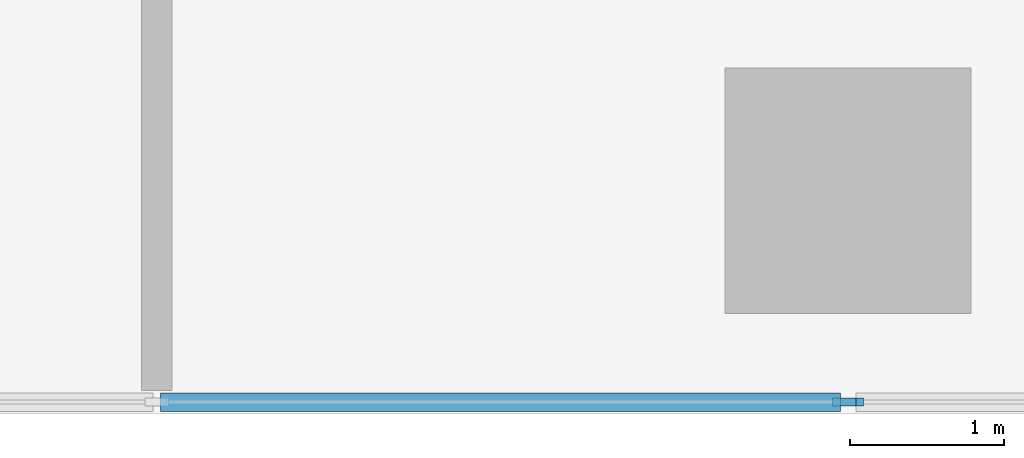
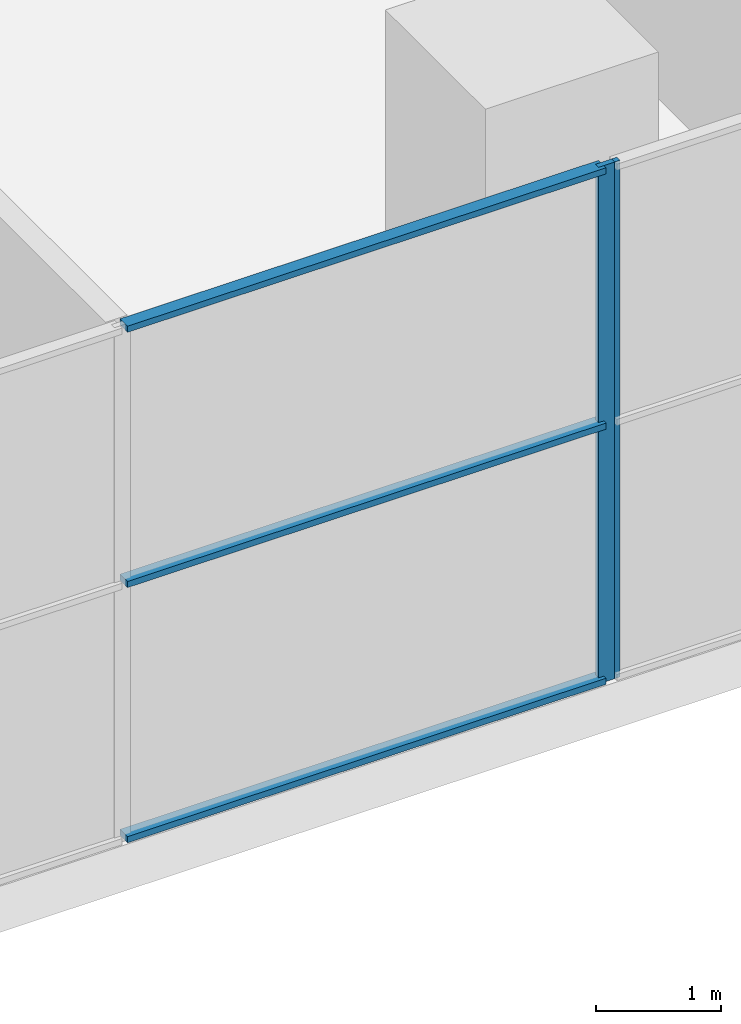
# One storey, part 3 of 21: 5 members, 2 elements without a shape of their own.
"""IFC4 building model written with IfcOpenShell, lengths in metres."""

from ifc_helpers import new_model, si_unit, direction, frame, origin, origin_2d, place, context, subcontext, project, spatial, rectangle, extrude, material, material_profile, profile_set, type_object, element, aggregate, save


model = new_model("IFC4")

# Units and contexts
model_context = context("Model", 3, precision=1e-05, world=origin(), true_north=direction((0.0, 1.0)))
body_context = subcontext(model_context, "Body", "Model", "MODEL_VIEW")
ifc_project = project(units=[si_unit("LENGTHUNIT", "METRE"), si_unit("AREAUNIT", "SQUARE_METRE"), si_unit("VOLUMEUNIT", "CUBIC_METRE"), si_unit("PLANEANGLEUNIT", "RADIAN"), si_unit("MASSUNIT", "GRAM", prefix="KILO")], contexts=[model_context])

# Site, building, storey
site_placement = place(None, origin())
site = spatial("IfcSite", under=ifc_project, at=site_placement, CompositionType="ELEMENT")
building_placement = place(site_placement, origin())
building = spatial("IfcBuilding", under=site, at=building_placement, Name="Kajstack Hotel Tower", CompositionType="ELEMENT")
storey_placement = place(building_placement, frame((0.0, 0.0, 23.5)))
storey = spatial("IfcBuildingStorey", under=building, at=storey_placement, Name="L03", CompositionType="ELEMENT", Elevation=23.5)

# Curtain wall, member
ifc_material_1 = material(Name="Aluminium-framed curtain wall, fritted glass", Category="aluminium")
curtain_wall_type = type_object("IfcCurtainWallType", Name="CW-MEET", PredefinedType="NOTDEFINED", material=ifc_material_1)
curtain_wall_1_placement = place(storey_placement, origin())
curtain_wall_1 = element("IfcCurtainWall", 1, at=curtain_wall_1_placement, inside=storey, type_object=curtain_wall_type, Name="Curtain wall CU3 L03-03-02-2", PredefinedType="NOTDEFINED")
ifc_material_2 = material(Name="Aluminium", Category="aluminium")
ifc_material_profile_1 = material_profile(ifc_material_2, rectangle(XDim=0.050048828125, YDim=0.14990234375, at=origin_2d()), Name="Aluminium mullion 50 x 150")
ifc_profile_set_1 = profile_set([ifc_material_profile_1], Name="Aluminium")
member_type_1 = type_object("IfcMemberType", Name="CW-M-MEET", PredefinedType="MULLION", material=ifc_profile_set_1)
member_1_placement = place(storey_placement, frame((17.97509765625, -21.925048828125, 0.0), z_axis=(0.0, 0.0, 1.0), x_axis=(0.0, 1.0, 0.0)))
member_1 = element("IfcMember", 2, at=member_1_placement, type_object=member_type_1, Name="CU3 mullion 4", PredefinedType="MULLION", context=body_context, shape_type="SweptSolid", body=[
    extrude(rectangle(XDim=0.050048828125, YDim=0.14990234375, at=origin_2d()), origin(), (0.0, 0.0, 1.0), 5.050048828125),
])

curtain_wall_2_placement = place(storey_placement, origin())
curtain_wall_2 = element("IfcCurtainWall", 3, at=curtain_wall_2_placement, inside=storey, type_object=curtain_wall_type, Name="Curtain wall CU3 L03-03-02-3", PredefinedType="NOTDEFINED")
member_2_placement = place(storey_placement, frame((18.02490234375, -21.925048828125, 0.0), z_axis=(0.0, 0.0, 1.0), x_axis=(0.0, 1.0, 0.0)))
member_2 = element("IfcMember", 4, at=member_2_placement, type_object=member_type_1, Name="CU3 mullion 1", PredefinedType="MULLION", context=body_context, shape_type="SweptSolid", body=[
    extrude(rectangle(XDim=0.050048828125, YDim=0.14990234375, at=origin_2d()), origin(), (0.0, 0.0, 1.0), 5.050048828125),
])
aggregate(curtain_wall_2, [member_2])

# Member
ifc_material_profile_2 = material_profile(ifc_material_2, rectangle(XDim=0.1201171875, YDim=0.06005859375, at=origin_2d()), Name="Aluminium transom 120 x 60")
ifc_profile_set_2 = profile_set([ifc_material_profile_2], Name="Aluminium")
member_type_2 = type_object("IfcMemberType", Name="CW-T-MEET", PredefinedType="USERDEFINED", material=ifc_profile_set_2)
member_3_placement = place(storey_placement, frame((13.52490234375, -21.925048828125, 0.030029296875), z_axis=(1.0, 0.0, 0.0), x_axis=(0.0, 1.0, 0.0)))
member_3 = element("IfcMember", 5, at=member_3_placement, type_object=member_type_2, Name="CU3 transom 3.1", ObjectType="TRANSOM", PredefinedType="USERDEFINED", context=body_context, shape_type="SweptSolid", body=[
    extrude(rectangle(XDim=0.1201171875, YDim=0.06005859375, at=origin_2d()), origin(), (0.0, 0.0, 1.0), 4.425048828125),
])

member_4_placement = place(storey_placement, frame((13.52490234375, -21.925048828125, 2.52490234375), z_axis=(1.0, 0.0, 0.0), x_axis=(0.0, 1.0, 0.0)))
member_4 = element("IfcMember", 6, at=member_4_placement, type_object=member_type_2, Name="CU3 transom 3.2", ObjectType="TRANSOM", PredefinedType="USERDEFINED", context=body_context, shape_type="SweptSolid", body=[
    extrude(rectangle(XDim=0.1201171875, YDim=0.06005859375, at=origin_2d()), origin(), (0.0, 0.0, 1.0), 4.425048828125),
])

member_5_placement = place(storey_placement, frame((13.52490234375, -21.925048828125, 5.02001953125), z_axis=(1.0, 0.0, 0.0), x_axis=(0.0, 1.0, 0.0)))
member_5 = element("IfcMember", 7, at=member_5_placement, type_object=member_type_2, Name="CU3 transom 3.3", ObjectType="TRANSOM", PredefinedType="USERDEFINED", context=body_context, shape_type="SweptSolid", body=[
    extrude(rectangle(XDim=0.1201171875, YDim=0.06005859375, at=origin_2d()), origin(), (0.0, 0.0, 1.0), 4.425048828125),
])

aggregate(curtain_wall_1, [member_1, member_3, member_4, member_5])

save(model, "model.ifc")
